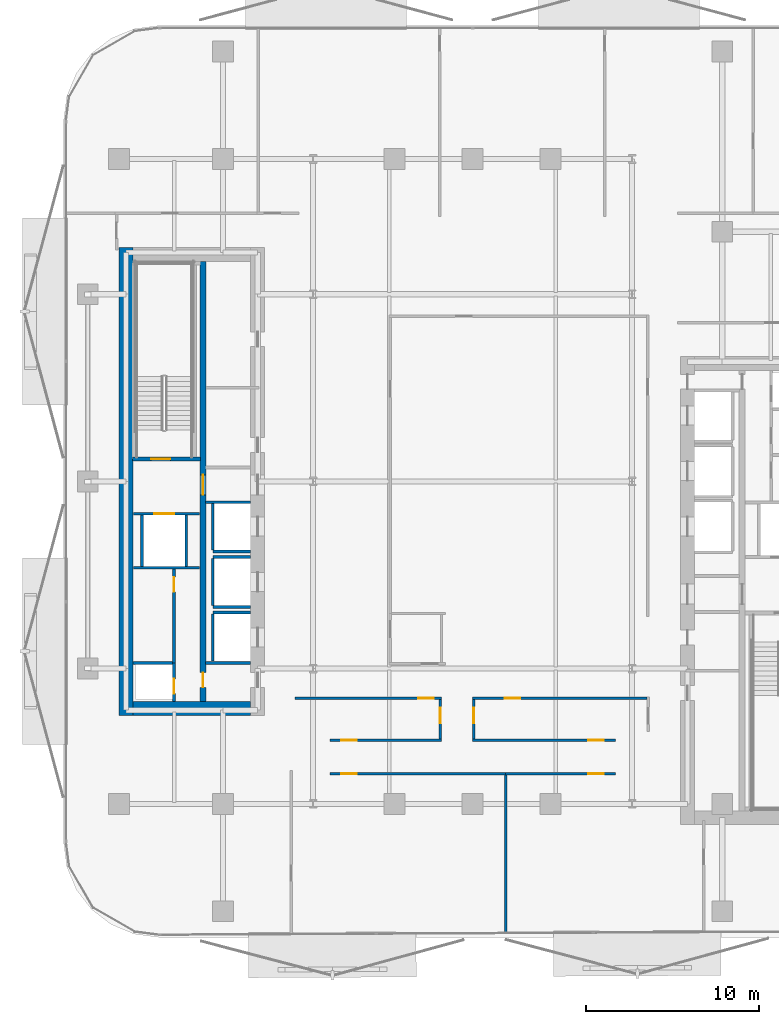
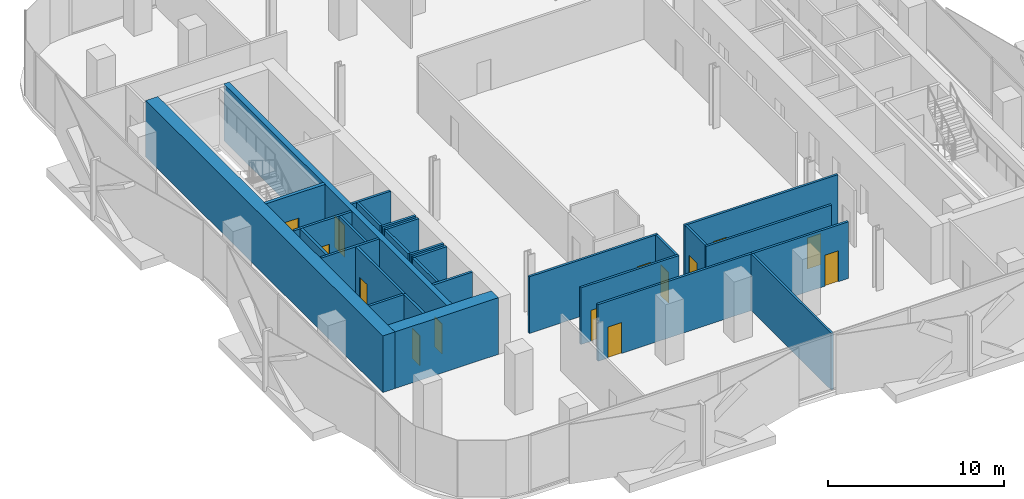
# One storey, part 3 of 15: 29 walls, 14 doors, 14 openings.
"""IFC4 building model written with IfcOpenShell, lengths in metres."""

from ifc_helpers import new_model, si_unit, direction, frame, frame_2d, origin, place, context, subcontext, project, spatial, rectangle, extrude, material, layer, layer_set, type_object, element, fill, save


model = new_model("IFC4")

# Units and contexts
model_context = context("Model", 3, precision=1e-05, world=origin(), true_north=direction((0.0, 1.0)))
body_context = subcontext(model_context, "Body", "Model", "MODEL_VIEW")
ifc_project = project(units=[si_unit("LENGTHUNIT", "METRE"), si_unit("AREAUNIT", "SQUARE_METRE"), si_unit("VOLUMEUNIT", "CUBIC_METRE"), si_unit("PLANEANGLEUNIT", "RADIAN"), si_unit("MASSUNIT", "GRAM", prefix="KILO")], contexts=[model_context])

# Site, building, storey
site_placement = place(None, origin())
site = spatial("IfcSite", under=ifc_project, at=site_placement, CompositionType="ELEMENT")
building_placement = place(site_placement, origin())
building = spatial("IfcBuilding", under=site, at=building_placement, Name="Khairoan Windgate Tower", CompositionType="ELEMENT")
storey_placement = place(building_placement, frame((0.0, 0.0, 122.60009765625)))
storey = spatial("IfcBuildingStorey", under=building, at=storey_placement, Name="L28", CompositionType="ELEMENT", Elevation=122.60009765625)

# Walls
ifc_material_1 = material(Name="Concrete C40/50", Category="concrete")
ifc_layer_1 = layer(ifc_material_1, 0.159912109375, Name="Concrete C40/50")
ifc_layer_set_1 = layer_set([ifc_layer_1], Name="Concrete C40/50")
wall_type_1 = type_object("IfcWallType", Name="Core and Hoistway Enclosure Wall", PredefinedType="STANDARD", material=ifc_layer_set_1)
wall_1_placement = place(storey_placement, frame((-14.989990234375, -4.0400390625, 0.0), z_axis=(0.0, 0.0, 1.0), x_axis=(1.0, 0.0, 0.0)))
element("IfcWall", 1, at=wall_1_placement, inside=storey, type_object=wall_type_1, Name="L28 Lift PL4 Hoistway Divider S", PredefinedType="STANDARD", context=body_context, shape_type="SweptSolid", body=[
    extrude(rectangle(XDim=2.18994140625, YDim=0.159912109375, at=frame_2d((1.094970703125, 0.0))), origin(), (0.0, 0.0, 1.0), 3.93994140625),
])
wall_2_placement = place(storey_placement, frame((-14.989990234375, -3.949951171875, 0.0), z_axis=(0.0, 0.0, 1.0), x_axis=(0.0, 1.0, 0.0)))
element("IfcWall", 2, at=wall_2_placement, inside=storey, type_object=wall_type_1, Name="L28 Lift PL4 Hoistway Back Wall", PredefinedType="STANDARD", context=body_context, shape_type="SweptSolid", body=[
    extrude(rectangle(XDim=2.699951171875, YDim=0.159912109375, at=frame_2d((1.35009765625, 0.0))), origin(), (0.0, 0.0, 1.0), 3.93994140625),
])
for number, where, z_axis, x_axis, name in (
    (3, (-14.989990234375, -7.239990234375, 0.0), (0.0, 0.0, 1.0), (1.0, 0.0, 0.0), "L28 Lift PL5 Hoistway Divider S"),
    (4, (-14.989990234375, -4.360107421875, 0.0), (0.0, 0.0, 1.0), (1.0, 0.0, 0.0), "L28 Lift PL5 Hoistway Divider N"),
):
    element("IfcWall", number, at=place(storey_placement, frame(where, z_axis=z_axis, x_axis=x_axis)), inside=storey, type_object=wall_type_1, Name=name, PredefinedType="STANDARD", context=body_context, shape_type="SweptSolid", body=[
        extrude(rectangle(XDim=2.18994140625, YDim=0.159912109375, at=frame_2d((1.094970703125, 0.0))), origin(), (0.0, 0.0, 1.0), 3.93994140625),
    ])
wall_3_placement = place(storey_placement, frame((-14.989990234375, -7.14990234375, 0.0), z_axis=(0.0, 0.0, 1.0), x_axis=(0.0, 1.0, 0.0)))
element("IfcWall", 5, at=wall_3_placement, inside=storey, type_object=wall_type_1, Name="L28 Lift PL5 Hoistway Back Wall", PredefinedType="STANDARD", context=body_context, shape_type="SweptSolid", body=[
    extrude(rectangle(XDim=2.699951171875, YDim=0.159912109375, at=frame_2d((1.35009765625, 0.0))), origin(), (0.0, 0.0, 1.0), 3.93994140625),
])
wall_4_placement = place(storey_placement, frame((-14.989990234375, -7.56005859375, 0.0), z_axis=(0.0, 0.0, 1.0), x_axis=(1.0, 0.0, 0.0)))
element("IfcWall", 6, at=wall_4_placement, inside=storey, type_object=wall_type_1, Name="L28 Lift PL6 Hoistway Divider N", PredefinedType="STANDARD", context=body_context, shape_type="SweptSolid", body=[
    extrude(rectangle(XDim=2.18994140625, YDim=0.159912109375, at=frame_2d((1.094970703125, 0.0))), origin(), (0.0, 0.0, 1.0), 3.93994140625),
])
wall_5_placement = place(storey_placement, frame((-14.989990234375, -10.35009765625, 0.0), z_axis=(0.0, 0.0, 1.0), x_axis=(0.0, 1.0, 0.0)))
element("IfcWall", 7, at=wall_5_placement, inside=storey, type_object=wall_type_1, Name="L28 Lift PL6 Hoistway Back Wall", PredefinedType="STANDARD", context=body_context, shape_type="SweptSolid", body=[
    extrude(rectangle(XDim=2.7001953125, YDim=0.159912109375, at=frame_2d((1.35009765625, 0.0))), origin(), (0.0, 0.0, 1.0), 3.93994140625),
])

# Wall, opening, door
wall_6_placement = place(storey_placement, frame((-19.550048828125, -1.860107421875, 0.0), z_axis=(0.0, 0.0, 1.0), x_axis=(1.0, 0.0, 0.0)))
wall_6 = element("IfcWall", 8, at=wall_6_placement, inside=storey, type_object=wall_type_1, Name="L28 Core Shaft Wall SW-FL2-L28", PredefinedType="STANDARD", context=body_context, shape_type="SweptSolid", body=[
    extrude(rectangle(XDim=3.800048828125, YDim=0.159912109375, at=frame_2d((1.89990234375, 0.0))), origin(), (0.0, 0.0, 1.0), 3.93994140625),
])
opening_1_placement = place(wall_6_placement, frame((1.179931640625, 0.0, 0.0)))
opening_1 = element("IfcOpeningElement", 9, at=opening_1_placement, cuts=wall_6, Name="Opening LD-FL", PredefinedType="OPENING", context=body_context, shape_type="SweptSolid", body=[
    extrude(rectangle(XDim=1.14990234375, YDim=2.199951171875, at=frame_2d((0.574951171875, 1.10009765625))), frame((0.0, 0.08984375, 0.0), z_axis=(0.0, -1.0, 0.0), x_axis=(1.0, 0.0, 0.0)), (0.0, 0.0, 1.0), 0.179931640625),
])
ifc_material_2 = material(Name="Steel S355", Category="steel")
door_type_1 = type_object("IfcDoorType", Name="Firefighting Lift Sliding Landing Door LD-FL 1150x2200", OperationType="DOUBLE_DOOR_SLIDING", PredefinedType="DOOR", material=ifc_material_2)
door_1_placement = place(opening_1_placement, origin())
door_1 = element("IfcDoor", 10, at=door_1_placement, inside=storey, type_object=door_type_1, Name="L28 Firefighting Lift FL2 Landing Door", OperationType="DOUBLE_DOOR_SLIDING", OverallHeight=2.199951171875, OverallWidth=1.14990234375, PredefinedType="DOOR", context=body_context, shape_type="SweptSolid", body=[
    extrude(rectangle(XDim=1.14990234375, YDim=2.199951171875, at=frame_2d((0.574951171875, 1.10009765625))), frame((0.0, 0.02490234375, 0.0), z_axis=(0.0, -1.0, 0.0), x_axis=(1.0, 0.0, 0.0)), (0.0, 0.0, 1.0), 0.050048828125),
])
fill(opening_1, door_1)

# Walls
wall_7_placement = place(storey_placement, frame((-19.550048828125, -4.97998046875, 0.0), z_axis=(0.0, 0.0, 1.0), x_axis=(1.0, 0.0, 0.0)))
element("IfcWall", 11, at=wall_7_placement, inside=storey, type_object=wall_type_1, Name="L28 Core Shaft Wall SW-FL2B-L28", PredefinedType="STANDARD", context=body_context, shape_type="SweptSolid", body=[
    extrude(rectangle(XDim=3.800048828125, YDim=0.159912109375, at=frame_2d((1.89990234375, 0.0))), origin(), (0.0, 0.0, 1.0), 3.93994140625),
])
for number, where, z_axis, x_axis, name in (
    (12, (-19.080078125, -4.89990234375, 0.0), (0.0, 0.0, 1.0), (0.0, 1.0, 0.0), "L28 Core Shaft Wall SW-FL2W-L28"),
    (13, (-16.52001953125, -4.89990234375, 0.0), (0.0, 0.0, 1.0), (0.0, 1.0, 0.0), "L28 Core Shaft Wall SW-FL2E-L28"),
):
    element("IfcWall", number, at=place(storey_placement, frame(where, z_axis=z_axis, x_axis=x_axis)), inside=storey, type_object=wall_type_1, Name=name, PredefinedType="STANDARD", context=body_context, shape_type="SweptSolid", body=[
        extrude(rectangle(XDim=2.9599609375, YDim=0.159912109375, at=frame_2d((1.47998046875, 0.0))), origin(), (0.0, 0.0, 1.0), 3.93994140625),
    ])
for number, where, z_axis, x_axis, name in (
    (14, (-15.39990234375, -1.199951171875, 0.0), (0.0, 0.0, 1.0), (1.0, 0.0, 0.0), "L28 Core Shaft Wall SW-WV2-L28"),
    (15, (-15.39990234375, -10.47998046875, 0.0), (0.0, 0.0, 1.0), (1.0, 0.0, 0.0), "L28 Core Shaft Wall SW-WSV-L28"),
):
    element("IfcWall", number, at=place(storey_placement, frame(where, z_axis=z_axis, x_axis=x_axis)), inside=storey, type_object=wall_type_1, Name=name, PredefinedType="STANDARD", context=body_context, shape_type="SweptSolid", body=[
        extrude(rectangle(XDim=2.599853515625, YDim=0.159912109375, at=frame_2d((1.2998046875, 0.0))), origin(), (0.0, 0.0, 1.0), 3.93994140625),
    ])
ifc_material_3 = material(Name="Acoustic Fire-Rated Gypsum Partition", Category="gypsum")
ifc_layer_2 = layer(ifc_material_3, 0.139892578125, Name="Acoustic Fire-Rated Gypsum Partition")
ifc_layer_set_2 = layer_set([ifc_layer_2], Name="Acoustic Fire-Rated Gypsum Partition")
wall_type_2 = type_object("IfcWallType", Name="Inter-Tenancy Compartment Wall", PredefinedType="PARTITIONING", material=ifc_layer_set_2)
wall_8_placement = place(storey_placement, frame((1.904052734375, -26.05712890625, 0.0), z_axis=(0.0, 0.0, 1.0), x_axis=(0.0, 1.0, 0.0)))
element("IfcWall", 16, at=wall_8_placement, inside=storey, type_object=wall_type_2, Name="L28 Interior Partition 039", PredefinedType="PARTITIONING", context=body_context, shape_type="SweptSolid", body=[
    extrude(rectangle(XDim=9.1220703125, YDim=0.139892578125, at=frame_2d((4.56103515625, 0.0))), origin(), (0.0, 0.0, 1.0), 3.93994140625),
])

# Wall, opening, door
ifc_material_4 = material(Name="Concrete C40/50", Category="concrete")
ifc_layer_3 = layer(ifc_material_4, 0.159912109375, Name="Concrete C40/50")
ifc_layer_set_3 = layer_set([ifc_layer_3], Name="Concrete C40/50")
wall_type_3 = type_object("IfcWallType", Name="Plant and Refuge Compartment Wall", PredefinedType="PARTITIONING", material=ifc_layer_set_3)
wall_9_placement = place(storey_placement, frame((-17.22998046875, -12.699951171875, 0.0), z_axis=(0.0, 0.0, 1.0), x_axis=(0.0, 1.0, 0.0)))
wall_9 = element("IfcWall", 17, at=wall_9_placement, inside=storey, type_object=wall_type_3, Name="L28 Interior Partition 001", PredefinedType="PARTITIONING", context=body_context, shape_type="SweptSolid", body=[
    extrude(rectangle(XDim=2.22998046875, YDim=0.159912109375, at=frame_2d((1.114990234375, 0.0))), origin(), (0.0, 0.0, 1.0), 3.93994140625),
])
opening_2_placement = place(wall_9_placement, frame((0.4599609375, 0.0, 0.0)))
opening_2 = element("IfcOpeningElement", 18, at=opening_2_placement, cuts=wall_9, Name="Opening FD-SRV", PredefinedType="OPENING", context=body_context, shape_type="SweptSolid", body=[
    extrude(rectangle(XDim=0.85009765625, YDim=2.10009765625, at=frame_2d((0.425048828125, 1.050048828125))), frame((0.0, 0.08984375, 0.0), z_axis=(0.0, -1.0, 0.0), x_axis=(1.0, 0.0, 0.0)), (0.0, 0.0, 1.0), 0.179931640625),
])
ifc_material_5 = material(Name="Steel S355", Category="steel")
door_type_2 = type_object("IfcDoorType", Name="Core Service and Riser Fire Door FD-SRV 850x2100", OperationType="NOTDEFINED", PredefinedType="DOOR", material=ifc_material_5)
door_2_placement = place(opening_2_placement, origin())
door_2 = element("IfcDoor", 19, at=door_2_placement, inside=storey, type_object=door_type_2, Name="L28 L28-04-L28-05 Door", OperationType="SINGLE_SWING_LEFT", OverallHeight=2.10009765625, OverallWidth=0.85009765625, PredefinedType="DOOR", context=body_context, shape_type="SweptSolid", body=[
    extrude(rectangle(XDim=0.85009765625, YDim=2.10009765625, at=frame_2d((0.425048828125, 1.050048828125))), frame((0.0, 0.02490234375, 0.0), z_axis=(0.0, -1.0, 0.0), x_axis=(1.0, 0.0, 0.0)), (0.0, 0.0, 1.0), 0.050048828125),
])
fill(opening_2, door_2)

wall_10_placement = place(storey_placement, frame((-17.22998046875, -10.469970703125, 0.0), z_axis=(0.0, 0.0, 1.0), x_axis=(0.0, 1.0, 0.0)))
wall_10 = element("IfcWall", 20, at=wall_10_placement, inside=storey, type_object=wall_type_3, Name="L28 Interior Partition 002", PredefinedType="PARTITIONING", context=body_context, shape_type="SweptSolid", body=[
    extrude(rectangle(XDim=5.409912109375, YDim=0.159912109375, at=frame_2d((2.705078125, 0.0))), origin(), (0.0, 0.0, 1.0), 3.93994140625),
])
opening_3_placement = place(wall_10_placement, frame((4.10009765625, 0.0, 0.0)))
opening_3 = element("IfcOpeningElement", 21, at=opening_3_placement, cuts=wall_10, Name="Opening FD-SRV", PredefinedType="OPENING", context=body_context, shape_type="SweptSolid", body=[
    extrude(rectangle(XDim=0.85009765625, YDim=2.10009765625, at=frame_2d((0.425048828125, 1.050048828125))), frame((0.0, 0.08984375, 0.0), z_axis=(0.0, -1.0, 0.0), x_axis=(1.0, 0.0, 0.0)), (0.0, 0.0, 1.0), 0.179931640625),
])
door_3_placement = place(opening_3_placement, origin())
door_3 = element("IfcDoor", 22, at=door_3_placement, inside=storey, type_object=door_type_2, Name="L28 L28-04-L28-06 Door", OperationType="SINGLE_SWING_RIGHT", OverallHeight=2.10009765625, OverallWidth=0.85009765625, PredefinedType="DOOR", context=body_context, shape_type="SweptSolid", body=[
    extrude(rectangle(XDim=0.85009765625, YDim=2.10009765625, at=frame_2d((0.425048828125, 1.050048828125))), frame((0.0, 0.02490234375, 0.0), z_axis=(0.0, -1.0, 0.0), x_axis=(1.0, 0.0, 0.0)), (0.0, 0.0, 1.0), 0.050048828125),
])
fill(opening_3, door_3)

# Wall
wall_11_placement = place(storey_placement, frame((-19.60009765625, -10.469970703125, 0.0), z_axis=(0.0, 0.0, 1.0), x_axis=(1.0, 0.0, 0.0)))
element("IfcWall", 23, at=wall_11_placement, inside=storey, type_object=wall_type_3, Name="L28 Interior Partition 003", PredefinedType="PARTITIONING", context=body_context, shape_type="SweptSolid", body=[
    extrude(rectangle(XDim=2.2900390625, YDim=0.159912109375, at=frame_2d((1.14501953125, 0.0))), origin(), (0.0, 0.0, 1.0), 3.93994140625),
])

# Wall, opening, door
ifc_material_6 = material(Name="Acoustic Fire-Rated Gypsum Partition", Category="gypsum")
ifc_layer_4 = layer(ifc_material_6, 0.14990234375, Name="Acoustic Fire-Rated Gypsum Partition")
ifc_layer_set_4 = layer_set([ifc_layer_4], Name="Acoustic Fire-Rated Gypsum Partition")
wall_type_4 = type_object("IfcWallType", Name="Rated Corridor Partition Wall", PredefinedType="PARTITIONING", material=ifc_layer_set_4)
wall_12_placement = place(storey_placement, frame((-10.239990234375, -12.514892578125, 0.0), z_axis=(0.0, 0.0, 1.0), x_axis=(1.0, 0.0, 0.0)))
wall_12 = element("IfcWall", 24, at=wall_12_placement, inside=storey, type_object=wall_type_4, Name="L28 Interior Partition 016", PredefinedType="PARTITIONING", context=body_context, shape_type="SweptSolid", body=[
    extrude(rectangle(XDim=8.455078125, YDim=0.14990234375, at=frame_2d((4.2275390625, 0.0))), origin(), (0.0, 0.0, 1.0), 3.93994140625),
])
opening_4_placement = place(wall_12_placement, frame((7.094970703125, 0.0, 0.0)))
opening_4 = element("IfcOpeningElement", 25, at=opening_4_placement, cuts=wall_12, Name="Opening FD-ENT", PredefinedType="OPENING", context=body_context, shape_type="SweptSolid", body=[
    extrude(rectangle(XDim=0.89990234375, YDim=2.14990234375, at=frame_2d((0.449951171875, 1.074951171875))), frame((0.0, 0.0849609375, 0.0), z_axis=(0.0, -1.0, 0.0), x_axis=(1.0, 0.0, 0.0)), (0.0, 0.0, 1.0), 0.169921875),
])
ifc_material_7 = material(Name="Timber Fire-Rated Core", Category="wood")
door_type_3 = type_object("IfcDoorType", Name="Unit and Office Fire Entrance Door FD-ENT 900x2150", OperationType="NOTDEFINED", PredefinedType="DOOR", material=ifc_material_7)
door_4_placement = place(opening_4_placement, origin())
door_4 = element("IfcDoor", 26, at=door_4_placement, inside=storey, type_object=door_type_3, Name="L28 L28-31-L28-51 Door", OperationType="SINGLE_SWING_LEFT", OverallHeight=2.14990234375, OverallWidth=0.89990234375, PredefinedType="DOOR", context=body_context, shape_type="SweptSolid", body=[
    extrude(rectangle(XDim=0.89990234375, YDim=2.14990234375, at=frame_2d((0.449951171875, 1.074951171875))), frame((0.0, 0.02490234375, 0.0), z_axis=(0.0, -1.0, 0.0), x_axis=(1.0, 0.0, 0.0)), (0.0, 0.0, 1.0), 0.050048828125),
])
fill(opening_4, door_4)

wall_13_placement = place(storey_placement, frame((-0.014892578125, -12.514892578125, 0.0), z_axis=(0.0, 0.0, 1.0), x_axis=(1.0, 0.0, 0.0)))
wall_13 = element("IfcWall", 27, at=wall_13_placement, inside=storey, type_object=wall_type_4, Name="L28 Interior Partition 017", PredefinedType="PARTITIONING", context=body_context, shape_type="SweptSolid", body=[
    extrude(rectangle(XDim=10.06494140625, YDim=0.14990234375, at=frame_2d((5.032470703125, 0.0))), origin(), (0.0, 0.0, 1.0), 3.93994140625),
])
opening_5_placement = place(wall_13_placement, frame((1.86767578125, 0.0, 0.0)))
opening_5 = element("IfcOpeningElement", 28, at=opening_5_placement, cuts=wall_13, Name="Opening FD-ENT", PredefinedType="OPENING", context=body_context, shape_type="SweptSolid", body=[
    extrude(rectangle(XDim=0.89990234375, YDim=2.14990234375, at=frame_2d((0.449951171875, 1.074951171875))), frame((0.0, 0.0849609375, 0.0), z_axis=(0.0, -1.0, 0.0), x_axis=(1.0, 0.0, 0.0)), (0.0, 0.0, 1.0), 0.169921875),
])
door_5_placement = place(opening_5_placement, origin())
door_5 = element("IfcDoor", 29, at=door_5_placement, inside=storey, type_object=door_type_3, Name="L28 L28-31-L28-52 Door", OperationType="SINGLE_SWING_RIGHT", OverallHeight=2.14990234375, OverallWidth=0.89990234375, PredefinedType="DOOR", context=body_context, shape_type="SweptSolid", body=[
    extrude(rectangle(XDim=0.89990234375, YDim=2.14990234375, at=frame_2d((0.449951171875, 1.074951171875))), frame((0.0, 0.02490234375, 0.0), z_axis=(0.0, -1.0, 0.0), x_axis=(1.0, 0.0, 0.0)), (0.0, 0.0, 1.0), 0.050048828125),
])
fill(opening_5, door_5)

wall_14_placement = place(storey_placement, frame((-8.239990234375, -16.860107421875, 0.0), z_axis=(0.0, 0.0, 1.0), x_axis=(1.0, 0.0, 0.0)))
wall_14 = element("IfcWall", 30, at=wall_14_placement, inside=storey, type_object=wall_type_4, Name="L28 Interior Partition 024", PredefinedType="PARTITIONING", context=body_context, shape_type="SweptSolid", body=[
    extrude(rectangle(XDim=10.14404296875, YDim=0.14990234375, at=frame_2d((5.072021484375, 0.0))), origin(), (0.0, 0.0, 1.0), 3.93994140625),
])
opening_6_placement = place(wall_14_placement, frame((0.6630859375, 0.0, 0.0)))
opening_6 = element("IfcOpeningElement", 31, at=opening_6_placement, cuts=wall_14, Name="Opening FD-ENT", PredefinedType="OPENING", context=body_context, shape_type="SweptSolid", body=[
    extrude(rectangle(XDim=0.89990234375, YDim=2.14990234375, at=frame_2d((0.449951171875, 1.074951171875))), frame((0.0, 0.0849609375, 0.0), z_axis=(0.0, -1.0, 0.0), x_axis=(1.0, 0.0, 0.0)), (0.0, 0.0, 1.0), 0.169921875),
])
door_6_placement = place(opening_6_placement, origin())
door_6 = element("IfcDoor", 32, at=door_6_placement, inside=storey, type_object=door_type_3, Name="L28 L28-35-L28-46 Door", OperationType="SINGLE_SWING_LEFT", OverallHeight=2.14990234375, OverallWidth=0.89990234375, PredefinedType="DOOR", context=body_context, shape_type="SweptSolid", body=[
    extrude(rectangle(XDim=0.89990234375, YDim=2.14990234375, at=frame_2d((0.449951171875, 1.074951171875))), frame((0.0, 0.02490234375, 0.0), z_axis=(0.0, -1.0, 0.0), x_axis=(1.0, 0.0, 0.0)), (0.0, 0.0, 1.0), 0.050048828125),
])
fill(opening_6, door_6)

wall_15_placement = place(storey_placement, frame((1.904052734375, -16.860107421875, 0.0), z_axis=(0.0, 0.0, 1.0), x_axis=(1.0, 0.0, 0.0)))
wall_15 = element("IfcWall", 33, at=wall_15_placement, inside=storey, type_object=wall_type_4, Name="L28 Interior Partition 025", PredefinedType="PARTITIONING", context=body_context, shape_type="SweptSolid", body=[
    extrude(rectangle(XDim=6.3359375, YDim=0.14990234375, at=frame_2d((3.16796875, 0.0))), origin(), (0.0, 0.0, 1.0), 3.93994140625),
])
opening_7_placement = place(wall_15_placement, frame((4.770751953125, 0.0, 0.0)))
opening_7 = element("IfcOpeningElement", 34, at=opening_7_placement, cuts=wall_15, Name="Opening FD-ENT", PredefinedType="OPENING", context=body_context, shape_type="SweptSolid", body=[
    extrude(rectangle(XDim=0.89990234375, YDim=2.14990234375, at=frame_2d((0.449951171875, 1.074951171875))), frame((0.0, 0.0849609375, 0.0), z_axis=(0.0, -1.0, 0.0), x_axis=(1.0, 0.0, 0.0)), (0.0, 0.0, 1.0), 0.169921875),
])
door_7_placement = place(opening_7_placement, origin())
door_7 = element("IfcDoor", 35, at=door_7_placement, inside=storey, type_object=door_type_3, Name="L28 L28-35-L28-47 Door", OperationType="SINGLE_SWING_RIGHT", OverallHeight=2.14990234375, OverallWidth=0.89990234375, PredefinedType="DOOR", context=body_context, shape_type="SweptSolid", body=[
    extrude(rectangle(XDim=0.89990234375, YDim=2.14990234375, at=frame_2d((0.449951171875, 1.074951171875))), frame((0.0, 0.02490234375, 0.0), z_axis=(0.0, -1.0, 0.0), x_axis=(1.0, 0.0, 0.0)), (0.0, 0.0, 1.0), 0.050048828125),
])
fill(opening_7, door_7)

wall_16_placement = place(storey_placement, frame((-8.239990234375, -14.93994140625, 0.0), z_axis=(0.0, 0.0, 1.0), x_axis=(1.0, 0.0, 0.0)))
wall_16 = element("IfcWall", 36, at=wall_16_placement, inside=storey, type_object=wall_type_4, Name="L28 Interior Partition 026", PredefinedType="PARTITIONING", context=body_context, shape_type="SweptSolid", body=[
    extrude(rectangle(XDim=6.455078125, YDim=0.14990234375, at=frame_2d((3.2275390625, 0.0))), origin(), (0.0, 0.0, 1.0), 3.93994140625),
])
opening_8_placement = place(wall_16_placement, frame((0.66162109375, 0.0, 0.0)))
opening_8 = element("IfcOpeningElement", 37, at=opening_8_placement, cuts=wall_16, Name="Opening FD-ENT", PredefinedType="OPENING", context=body_context, shape_type="SweptSolid", body=[
    extrude(rectangle(XDim=0.89990234375, YDim=2.14990234375, at=frame_2d((0.449951171875, 1.074951171875))), frame((0.0, 0.0849609375, 0.0), z_axis=(0.0, -1.0, 0.0), x_axis=(1.0, 0.0, 0.0)), (0.0, 0.0, 1.0), 0.169921875),
])
door_8_placement = place(opening_8_placement, origin())
door_8 = element("IfcDoor", 38, at=door_8_placement, inside=storey, type_object=door_type_3, Name="L28 L28-35-L28-51 Door", OperationType="SINGLE_SWING_LEFT", OverallHeight=2.14990234375, OverallWidth=0.89990234375, PredefinedType="DOOR", context=body_context, shape_type="SweptSolid", body=[
    extrude(rectangle(XDim=0.89990234375, YDim=2.14990234375, at=frame_2d((0.449951171875, 1.074951171875))), frame((0.0, 0.02490234375, 0.0), z_axis=(0.0, -1.0, 0.0), x_axis=(1.0, 0.0, 0.0)), (0.0, 0.0, 1.0), 0.050048828125),
])
fill(opening_8, door_8)

wall_17_placement = place(storey_placement, frame((-0.014892578125, -14.93994140625, 0.0), z_axis=(0.0, 0.0, 1.0), x_axis=(1.0, 0.0, 0.0)))
wall_17 = element("IfcWall", 39, at=wall_17_placement, inside=storey, type_object=wall_type_4, Name="L28 Interior Partition 027", PredefinedType="PARTITIONING", context=body_context, shape_type="SweptSolid", body=[
    extrude(rectangle(XDim=8.2548828125, YDim=0.14990234375, at=frame_2d((4.12744140625, 0.0))), origin(), (0.0, 0.0, 1.0), 3.93994140625),
])
opening_9_placement = place(wall_17_placement, frame((6.69384765625, 0.0, 0.0)))
opening_9 = element("IfcOpeningElement", 40, at=opening_9_placement, cuts=wall_17, Name="Opening FD-ENT", PredefinedType="OPENING", context=body_context, shape_type="SweptSolid", body=[
    extrude(rectangle(XDim=0.89990234375, YDim=2.14990234375, at=frame_2d((0.449951171875, 1.074951171875))), frame((0.0, 0.0849609375, 0.0), z_axis=(0.0, -1.0, 0.0), x_axis=(1.0, 0.0, 0.0)), (0.0, 0.0, 1.0), 0.169921875),
])
door_9_placement = place(opening_9_placement, origin())
door_9 = element("IfcDoor", 41, at=door_9_placement, inside=storey, type_object=door_type_3, Name="L28 L28-35-L28-52 Door", OperationType="SINGLE_SWING_RIGHT", OverallHeight=2.14990234375, OverallWidth=0.89990234375, PredefinedType="DOOR", context=body_context, shape_type="SweptSolid", body=[
    extrude(rectangle(XDim=0.89990234375, YDim=2.14990234375, at=frame_2d((0.449951171875, 1.074951171875))), frame((0.0, 0.02490234375, 0.0), z_axis=(0.0, -1.0, 0.0), x_axis=(1.0, 0.0, 0.0)), (0.0, 0.0, 1.0), 0.050048828125),
])
fill(opening_9, door_9)

wall_18_placement = place(storey_placement, frame((-1.860107421875, -14.864990234375, 0.0), z_axis=(0.0, 0.0, 1.0), x_axis=(0.0, 1.0, 0.0)))
wall_18 = element("IfcWall", 42, at=wall_18_placement, inside=storey, type_object=wall_type_4, Name="L28 Interior Partition 028", PredefinedType="PARTITIONING", context=body_context, shape_type="SweptSolid", body=[
    extrude(rectangle(XDim=2.27490234375, YDim=0.14990234375, at=frame_2d((1.137451171875, 0.0))), origin(), (0.0, 0.0, 1.0), 3.93994140625),
])
opening_10_placement = place(wall_18_placement, frame((0.9150390625, 0.0, 0.0)))
opening_10 = element("IfcOpeningElement", 43, at=opening_10_placement, cuts=wall_18, Name="Opening FD-ENT", PredefinedType="OPENING", context=body_context, shape_type="SweptSolid", body=[
    extrude(rectangle(XDim=0.89990234375, YDim=2.14990234375, at=frame_2d((0.449951171875, 1.074951171875))), frame((0.0, 0.0849609375, 0.0), z_axis=(0.0, -1.0, 0.0), x_axis=(1.0, 0.0, 0.0)), (0.0, 0.0, 1.0), 0.169921875),
])
door_10_placement = place(opening_10_placement, origin())
door_10 = element("IfcDoor", 44, at=door_10_placement, inside=storey, type_object=door_type_3, Name="L28 L28-36-L28-51 Door", OperationType="SINGLE_SWING_LEFT", OverallHeight=2.14990234375, OverallWidth=0.89990234375, PredefinedType="DOOR", context=body_context, shape_type="SweptSolid", body=[
    extrude(rectangle(XDim=0.89990234375, YDim=2.14990234375, at=frame_2d((0.449951171875, 1.074951171875))), frame((0.0, 0.02490234375, 0.0), z_axis=(0.0, -1.0, 0.0), x_axis=(1.0, 0.0, 0.0)), (0.0, 0.0, 1.0), 0.050048828125),
])
fill(opening_10, door_10)

wall_19_placement = place(storey_placement, frame((0.06005859375, -14.864990234375, 0.0), z_axis=(0.0, 0.0, 1.0), x_axis=(0.0, 1.0, 0.0)))
wall_19 = element("IfcWall", 45, at=wall_19_placement, inside=storey, type_object=wall_type_4, Name="L28 Interior Partition 029", PredefinedType="PARTITIONING", context=body_context, shape_type="SweptSolid", body=[
    extrude(rectangle(XDim=2.27490234375, YDim=0.14990234375, at=frame_2d((1.137451171875, 0.0))), origin(), (0.0, 0.0, 1.0), 3.93994140625),
])
opening_11_placement = place(wall_19_placement, frame((0.9150390625, 0.0, 0.0)))
opening_11 = element("IfcOpeningElement", 46, at=opening_11_placement, cuts=wall_19, Name="Opening FD-ENT", PredefinedType="OPENING", context=body_context, shape_type="SweptSolid", body=[
    extrude(rectangle(XDim=0.89990234375, YDim=2.14990234375, at=frame_2d((0.449951171875, 1.074951171875))), frame((0.0, 0.0849609375, 0.0), z_axis=(0.0, -1.0, 0.0), x_axis=(1.0, 0.0, 0.0)), (0.0, 0.0, 1.0), 0.169921875),
])
door_11_placement = place(opening_11_placement, origin())
door_11 = element("IfcDoor", 47, at=door_11_placement, inside=storey, type_object=door_type_3, Name="L28 L28-36-L28-52 Door", OperationType="SINGLE_SWING_RIGHT", OverallHeight=2.14990234375, OverallWidth=0.89990234375, PredefinedType="DOOR", context=body_context, shape_type="SweptSolid", body=[
    extrude(rectangle(XDim=0.89990234375, YDim=2.14990234375, at=frame_2d((0.449951171875, 1.074951171875))), frame((0.0, 0.02490234375, 0.0), z_axis=(0.0, -1.0, 0.0), x_axis=(1.0, 0.0, 0.0)), (0.0, 0.0, 1.0), 0.050048828125),
])
fill(opening_11, door_11)

# Walls
ifc_material_8 = material(Name="Concrete C70/85", Category="concrete")
ifc_layer_5 = layer(ifc_material_8, 0.800048828125, Name="Concrete C70/85")
ifc_layer_set_5 = layer_set([ifc_layer_5], Name="Concrete C70/85")
wall_type_5 = type_object("IfcWallType", Name="Shear Wall CW-W1 800mm", PredefinedType="SHEAR", material=ifc_layer_set_5)
wall_20_placement = place(storey_placement, frame((-20.0, -13.5, 0.0), z_axis=(0.0, 0.0, 1.0), x_axis=(0.0, 1.0, 0.0)))
element("IfcWall", 48, at=wall_20_placement, inside=storey, type_object=wall_type_5, Name="W Core West Shear Wall L28", PredefinedType="SHEAR", context=body_context, shape_type="SweptSolid", body=[
    extrude(rectangle(XDim=27.0, YDim=0.800048828125, at=frame_2d((13.5, 0.0))), origin(), (0.0, 0.0, 1.0), 3.93994140625),
])
wall_21_placement = place(storey_placement, frame((-19.60009765625, -13.10009765625, 0.0), z_axis=(0.0, 0.0, 1.0), x_axis=(1.0, 0.0, 0.0)))
element("IfcWall", 49, at=wall_21_placement, inside=storey, type_object=wall_type_5, Name="W Core South Shear Wall L28", PredefinedType="SHEAR", context=body_context, shape_type="SweptSolid", body=[
    extrude(rectangle(XDim=6.800048828125, YDim=0.800048828125, at=frame_2d((3.39990234375, 0.0))), origin(), (0.0, 0.0, 1.0), 3.93994140625),
])

# Wall, openings, doors
ifc_material_9 = material(Name="Concrete C60/75", Category="concrete")
ifc_layer_6 = layer(ifc_material_9, 0.35009765625, Name="Concrete C60/75")
ifc_layer_set_6 = layer_set([ifc_layer_6], Name="Concrete C60/75")
wall_type_6 = type_object("IfcWallType", Name="Shear Wall SW-1 350mm", PredefinedType="SHEAR", material=ifc_layer_set_6)
wall_22_placement = place(storey_placement, frame((-15.550048828125, -12.699951171875, 0.0), z_axis=(0.0, 0.0, 1.0), x_axis=(0.0, 1.0, 0.0)))
wall_22 = element("IfcWall", 50, at=wall_22_placement, inside=storey, type_object=wall_type_6, Name="W Core Spine Shear Wall L28", PredefinedType="SHEAR", context=body_context, shape_type="SweptSolid", body=[
    extrude(rectangle(XDim=25.39990234375, YDim=0.35009765625, at=frame_2d((12.699951171875, 0.0))), origin(), (0.0, 0.0, 1.0), 3.93994140625),
])
opening_12_placement = place(wall_22_placement, frame((11.925048828125, 0.0, 0.0)))
opening_12 = element("IfcOpeningElement", 51, at=opening_12_placement, cuts=wall_22, Name="Opening FD-FFL", PredefinedType="OPENING", context=body_context, shape_type="SweptSolid", body=[
    extrude(rectangle(XDim=1.14990234375, YDim=2.199951171875, at=frame_2d((0.574951171875, 1.10009765625))), frame((0.0, 0.18505859375, 0.0), z_axis=(0.0, -1.0, 0.0), x_axis=(1.0, 0.0, 0.0)), (0.0, 0.0, 1.0), 0.3701171875),
])
opening_13_placement = place(wall_22_placement, frame((0.824951171875, 0.0, 0.0)))
opening_13 = element("IfcOpeningElement", 52, at=opening_13_placement, cuts=wall_22, Name="Opening FD-SRV", PredefinedType="OPENING", context=body_context, shape_type="SweptSolid", body=[
    extrude(rectangle(XDim=0.85009765625, YDim=2.10009765625, at=frame_2d((0.425048828125, 1.050048828125))), frame((0.0, 0.18505859375, 0.0), z_axis=(0.0, -1.0, 0.0), x_axis=(1.0, 0.0, 0.0)), (0.0, 0.0, 1.0), 0.3701171875),
])
door_12_placement = place(opening_13_placement, origin())
door_12 = element("IfcDoor", 53, at=door_12_placement, inside=storey, type_object=door_type_2, Name="L28 West Core Service Passage Inner Door", OperationType="SINGLE_SWING_RIGHT", OverallHeight=2.10009765625, OverallWidth=0.85009765625, PredefinedType="DOOR", context=body_context, shape_type="SweptSolid", body=[
    extrude(rectangle(XDim=0.85009765625, YDim=2.10009765625, at=frame_2d((0.425048828125, 1.050048828125))), frame((0.0, 0.02490234375, 0.0), z_axis=(0.0, -1.0, 0.0), x_axis=(1.0, 0.0, 0.0)), (0.0, 0.0, 1.0), 0.050048828125),
])
fill(opening_13, door_12)
ifc_material_10 = material(Name="Steel S355", Category="steel")
door_type_4 = type_object("IfcDoorType", Name="Firefighting Lobby Fire Door FD-FFL 1150x2200", OperationType="NOTDEFINED", PredefinedType="DOOR", material=ifc_material_10)
door_13_placement = place(opening_12_placement, origin())
door_13 = element("IfcDoor", 54, at=door_13_placement, inside=storey, type_object=door_type_4, Name="L28 West Firefighting Lobby Fire Door", OperationType="SINGLE_SWING_RIGHT", OverallHeight=2.199951171875, OverallWidth=1.14990234375, PredefinedType="DOOR", context=body_context, shape_type="SweptSolid", body=[
    extrude(rectangle(XDim=1.14990234375, YDim=2.199951171875, at=frame_2d((0.574951171875, 1.10009765625))), frame((0.0, 0.02490234375, 0.0), z_axis=(0.0, -1.0, 0.0), x_axis=(1.0, 0.0, 0.0)), (0.0, 0.0, 1.0), 0.050048828125),
])
fill(opening_12, door_13)

# Wall, opening, door
ifc_material_11 = material(Name="Concrete C50/60", Category="concrete")
ifc_layer_7 = layer(ifc_material_11, 0.219970703125, Name="Concrete C50/60")
ifc_layer_set_7 = layer_set([ifc_layer_7], Name="Concrete C50/60")
wall_type_7 = type_object("IfcWallType", Name="Shear Wall SW-ST 220mm", PredefinedType="SHEAR", material=ifc_layer_set_7)
wall_23_placement = place(storey_placement, frame((-19.6201171875, 1.2900390625, 0.0), z_axis=(0.0, 0.0, 1.0), x_axis=(1.0, 0.0, 0.0)))
wall_23 = element("IfcWall", 55, at=wall_23_placement, inside=storey, type_object=wall_type_7, Name="L28 Stair ST2 South Bearing Wall", PredefinedType="SHEAR", context=body_context, shape_type="SweptSolid", body=[
    extrude(rectangle(XDim=3.9150390625, YDim=0.219970703125, at=frame_2d((1.95751953125, 0.0))), origin(), (0.0, 0.0, 1.0), 3.93994140625),
])
opening_14_placement = place(wall_23_placement, frame((1.080078125, 0.0, 0.0)))
opening_14 = element("IfcOpeningElement", 56, at=opening_14_placement, cuts=wall_23, Name="Opening FD-ST", PredefinedType="OPENING", context=body_context, shape_type="SweptSolid", body=[
    extrude(rectangle(XDim=1.10009765625, YDim=2.199951171875, at=frame_2d((0.550048828125, 1.10009765625))), frame((0.0, 0.119873046875, 0.0), z_axis=(0.0, -1.0, 0.0), x_axis=(1.0, 0.0, 0.0)), (0.0, 0.0, 1.0), 0.239990234375),
])
ifc_material_12 = material(Name="Steel S355", Category="steel")
door_type_5 = type_object("IfcDoorType", Name="Smokeproof Stair Fire Door FD-ST 1100x2200", OperationType="NOTDEFINED", PredefinedType="DOOR", material=ifc_material_12)
door_14_placement = place(opening_14_placement, origin())
door_14 = element("IfcDoor", 57, at=door_14_placement, inside=storey, type_object=door_type_5, Name="L28 Stair ST2 Fire Door", OperationType="SINGLE_SWING_RIGHT", OverallHeight=2.199951171875, OverallWidth=1.10009765625, PredefinedType="DOOR", context=body_context, shape_type="SweptSolid", body=[
    extrude(rectangle(XDim=1.10009765625, YDim=2.199951171875, at=frame_2d((0.550048828125, 1.10009765625))), frame((0.0, 0.02490234375, 0.0), z_axis=(0.0, -1.0, 0.0), x_axis=(1.0, 0.0, 0.0)), (0.0, 0.0, 1.0), 0.050048828125),
])
fill(opening_14, door_14)

save(model, "model.ifc")
